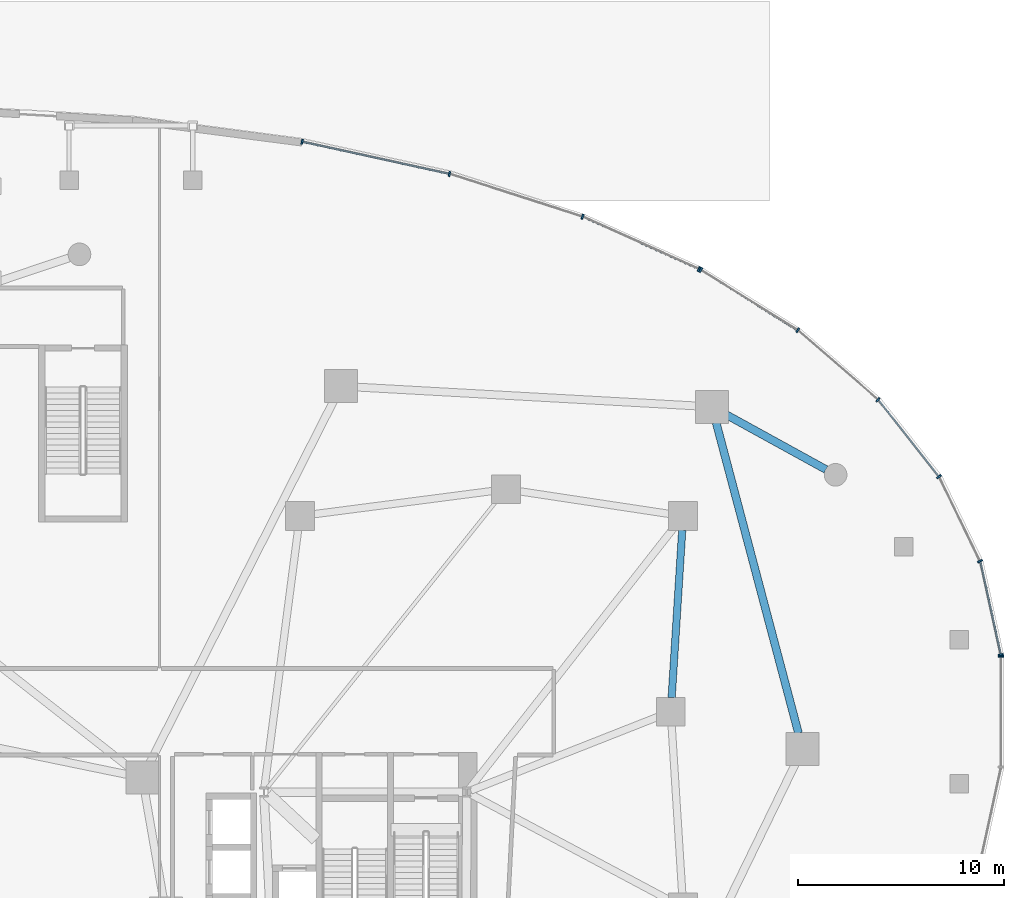
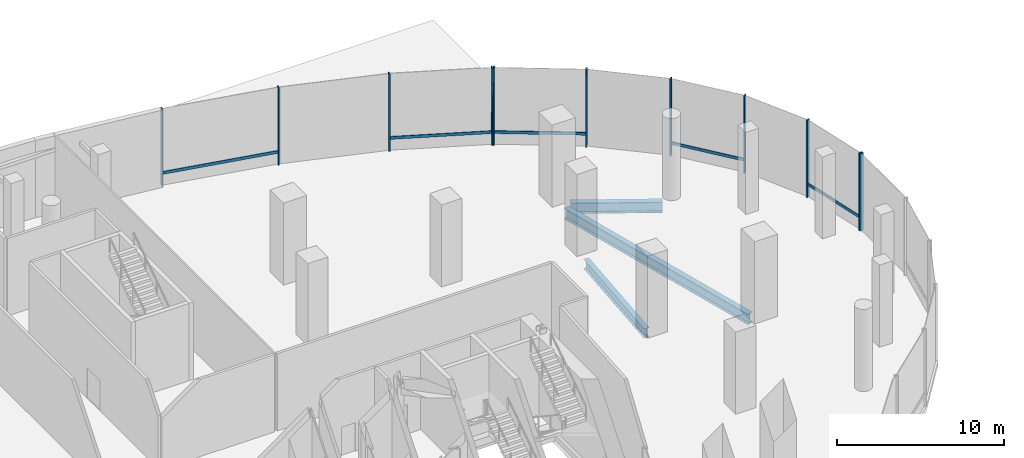
# One storey, part 10 of 20: 16 members, 3 beams, 3 elements without a shape of their own.
"""IFC4 building model written with IfcOpenShell, lengths in metres."""

from ifc_helpers import new_model, si_unit, direction, frame, origin, origin_2d, place, context, subcontext, project, spatial, rectangle, i_section, extrude, material, material_profile, profile_set, type_object, element, aggregate, save


model = new_model("IFC4")

# Units and contexts
model_context = context("Model", 3, precision=1e-05, world=origin(), true_north=direction((0.0, 1.0)))
body_context = subcontext(model_context, "Body", "Model", "MODEL_VIEW")
ifc_project = project(units=[si_unit("LENGTHUNIT", "METRE"), si_unit("AREAUNIT", "SQUARE_METRE"), si_unit("VOLUMEUNIT", "CUBIC_METRE"), si_unit("PLANEANGLEUNIT", "RADIAN"), si_unit("MASSUNIT", "GRAM", prefix="KILO"), si_unit("THERMODYNAMICTEMPERATUREUNIT", "KELVIN"), si_unit("POWERUNIT", "WATT")], contexts=[model_context])

# Site, building, storey
site_placement = place(None, origin())
site = spatial("IfcSite", under=ifc_project, at=site_placement, CompositionType="ELEMENT")
building_placement = place(site_placement, origin())
building = spatial("IfcBuilding", under=site, at=building_placement, Name="Cundina Bronze Exchange", CompositionType="ELEMENT")
storey_placement = place(building_placement, origin())
storey = spatial("IfcBuildingStorey", under=building, at=storey_placement, Name="L00", CompositionType="ELEMENT", Elevation=0.0)

# Beams
ifc_material_1 = material(Name="Steel ASTM A992 Grade 50", Category="steel")
ifc_material_profile_1 = material_profile(ifc_material_1, i_section(OverallWidth=0.35498046875, OverallDepth=0.695068359375, WebThickness=0.015380859375, FlangeThickness=0.02490234375, FilletRadius=0.01806640625, at=origin_2d()), Name="W27X146", Category="steel")
ifc_profile_set_1 = profile_set([ifc_material_profile_1], Name="Steel ASTM A992 Grade 50")
beam_type_1 = type_object("IfcBeamType", Name="BM-RING-W27", PredefinedType="USERDEFINED", material=ifc_profile_set_1)
beam_1_placement = place(storey_placement, frame((41.243408203125, 0.6865234375, -0.697509765625), z_axis=(0.063020359641, 0.998012241544, 0.0), x_axis=(-0.998012241544, 0.063020359641, 0.0)))
element("IfcBeam", 1, at=beam_1_placement, inside=storey, type_object=beam_type_1, Name="L00 E Inner Structural Ring Girder 04", ObjectType="GIRDER", PredefinedType="USERDEFINED", context=body_context, shape_type="SweptSolid", body=[
    extrude(i_section(OverallWidth=0.35498046875, OverallDepth=0.695068359375, WebThickness=0.015380859375, FlangeThickness=0.02490234375, FilletRadius=0.01806640625, at=origin_2d()), origin(), (0.0, 0.0, 1.0), 8.14306640625),
])
ifc_material_profile_2 = material_profile(ifc_material_1, i_section(OverallWidth=0.381103515625, OverallDepth=0.77294921875, WebThickness=0.0166015625, FlangeThickness=0.027099609375, FilletRadius=0.01904296875, at=origin_2d()), Name="W30X173", Category="steel")
ifc_profile_set_2 = profile_set([ifc_material_profile_2], Name="Steel ASTM A992 Grade 50")
beam_type_2 = type_object("IfcBeamType", Name="BM-RING-W30", PredefinedType="USERDEFINED", material=ifc_profile_set_2)
beam_2_placement = place(storey_placement, frame((48.728515625, 11.75927734375, -0.736572265625), z_axis=(-0.876222443353, 0.481906868351, 0.0), x_axis=(-0.481906868351, -0.876222443353, 0.0)))
element("IfcBeam", 2, at=beam_2_placement, inside=storey, type_object=beam_type_2, Name="L00 Podium Colonnade Tie Beam 07", ObjectType="GIRDER", PredefinedType="USERDEFINED", context=body_context, shape_type="SweptSolid", body=[
    extrude(i_section(OverallWidth=0.381103515625, OverallDepth=0.77294921875, WebThickness=0.0166015625, FlangeThickness=0.027099609375, FilletRadius=0.01904296875, at=origin_2d()), origin(), (0.0, 0.0, 1.0), 5.521484375),
])
beam_3_placement = place(storey_placement, frame((47.398193359375, -1.038330078125, -0.736572265625), z_axis=(-0.256219519418, 0.966618620692, 0.0), x_axis=(-0.966618620692, -0.256219519418, 0.0)))
element("IfcBeam", 3, at=beam_3_placement, inside=storey, type_object=beam_type_2, Name="L00 E Podium Ring Girder 08", ObjectType="GIRDER", PredefinedType="USERDEFINED", context=body_context, shape_type="SweptSolid", body=[
    extrude(i_section(OverallWidth=0.381103515625, OverallDepth=0.77294921875, WebThickness=0.0166015625, FlangeThickness=0.027099609375, FilletRadius=0.01904296875, at=origin_2d()), origin(), (0.0, 0.0, 1.0), 15.597412109375),
])

# Curtain wall, members
ifc_material_2 = material(Name="Anodised Bronze Aluminium 6063-T6", Category="aluminium")
curtain_wall_type = type_object("IfcCurtainWallType", Name="CWS-POD-CONC", PredefinedType="NOTDEFINED", material=ifc_material_2)
curtain_wall_1_placement = place(storey_placement, origin())
curtain_wall_1 = element("IfcCurtainWall", 4, at=curtain_wall_1_placement, inside=storey, type_object=curtain_wall_type, Name="L00 CW-01 Curtain Wall Run CWR-L00-01", PredefinedType="NOTDEFINED")
ifc_material_profile_3 = material_profile(ifc_material_2, rectangle(XDim=0.0849609375, YDim=0.25, at=origin_2d()), Name="AL85X250", Category="aluminium")
ifc_profile_set_3 = profile_set([ifc_material_profile_3], Name="Anodised Bronze Aluminium 6063-T6")
member_type_1 = type_object("IfcMemberType", Name="CWM-MUL-250", PredefinedType="MULLION", material=ifc_profile_set_3)
member_1_placement = place(storey_placement, frame((57.219482421875, 2.76708984375, 0.0), z_axis=(0.0, 0.0, 1.0), x_axis=(-0.214564862428, 0.976709741843, 0.0)))
member_1 = element("IfcMember", 5, at=member_1_placement, type_object=member_type_1, Name="CW-01 Mullion 1", PredefinedType="MULLION", context=body_context, shape_type="SweptSolid", body=[
    extrude(rectangle(XDim=0.0849609375, YDim=0.25, at=origin_2d()), origin(), (0.0, 0.0, 1.0), 5.64990234375),
])
member_2_placement = place(storey_placement, frame((56.211669921875, 7.311279296875, 0.0), z_axis=(0.0, 0.0, 1.0), x_axis=(-0.435702445497, 0.900090761528, 0.0)))
member_2 = element("IfcMember", 6, at=member_2_placement, type_object=member_type_1, Name="CW-01 Mullion 2", PredefinedType="MULLION", context=body_context, shape_type="SweptSolid", body=[
    extrude(rectangle(XDim=0.0849609375, YDim=0.25, at=origin_2d()), origin(), (0.0, 0.0, 1.0), 5.64990234375),
])
member_3_placement = place(storey_placement, frame((54.21728515625, 11.408935546875, 0.0), z_axis=(0.0, 0.0, 1.0), x_axis=(-0.61950505541, 0.784992666412, 0.0)))
member_3 = element("IfcMember", 7, at=member_3_placement, type_object=member_type_1, Name="CW-01 Mullion 3", PredefinedType="MULLION", context=body_context, shape_type="SweptSolid", body=[
    extrude(rectangle(XDim=0.0849609375, YDim=0.25, at=origin_2d()), origin(), (0.0, 0.0, 1.0), 5.64990234375),
])
member_4_placement = place(storey_placement, frame((51.257080078125, 15.146484375, 0.0), z_axis=(0.0, 0.0, 1.0), x_axis=(-0.755510544084, 0.6551364879, 0.0)))
member_4 = element("IfcMember", 8, at=member_4_placement, type_object=member_type_1, Name="CW-01 Mullion 4", PredefinedType="MULLION", context=body_context, shape_type="SweptSolid", body=[
    extrude(rectangle(XDim=0.0849609375, YDim=0.25, at=origin_2d()), origin(), (0.0, 0.0, 1.0), 5.64990234375),
])
member_5_placement = place(storey_placement, frame((47.35986328125, 18.515380859375, 0.0), z_axis=(0.0, 0.0, 1.0), x_axis=(-0.849248260906, 0.527993741769, 0.0)))
member_5 = element("IfcMember", 9, at=member_5_placement, type_object=member_type_1, Name="CW-01 Mullion 5", PredefinedType="MULLION", context=body_context, shape_type="SweptSolid", body=[
    extrude(rectangle(XDim=0.0849609375, YDim=0.25, at=origin_2d()), origin(), (0.0, 0.0, 1.0), 5.64990234375),
])
member_6_placement = place(storey_placement, frame((42.654052734375, 21.4404296875, 0.0), z_axis=(0.0, 0.0, 1.0), x_axis=(-0.849248260906, 0.527993741769, 0.0)))
member_6 = element("IfcMember", 10, at=member_6_placement, type_object=member_type_1, Name="CW-01 End Mullion", PredefinedType="MULLION", context=body_context, shape_type="SweptSolid", body=[
    extrude(rectangle(XDim=0.0849609375, YDim=0.25, at=origin_2d()), origin(), (0.0, 0.0, 1.0), 5.64990234375),
])

curtain_wall_2_placement = place(storey_placement, origin())
curtain_wall_2 = element("IfcCurtainWall", 11, at=curtain_wall_2_placement, inside=storey, type_object=curtain_wall_type, Name="L00 CW-01 Curtain Wall Run CWR-L00-02", PredefinedType="NOTDEFINED")
member_7_placement = place(storey_placement, frame((42.566162109375, 21.4873046875, 0.0), z_axis=(0.0, 0.0, 1.0), x_axis=(-0.911618620107, 0.411037092578, 0.0)))
member_7 = element("IfcMember", 12, at=member_7_placement, type_object=member_type_1, Name="CW-01 Mullion 1", PredefinedType="MULLION", context=body_context, shape_type="SweptSolid", body=[
    extrude(rectangle(XDim=0.0849609375, YDim=0.25, at=origin_2d()), origin(), (0.0, 0.0, 1.0), 5.64990234375),
])
member_8_placement = place(storey_placement, frame((36.91796875, 24.027099609375, 0.0), z_axis=(0.0, 0.0, 1.0), x_axis=(-0.951862260753, 0.306526078098, 0.0)))
member_8 = element("IfcMember", 13, at=member_8_placement, type_object=member_type_1, Name="CW-01 Mullion 2", PredefinedType="MULLION", context=body_context, shape_type="SweptSolid", body=[
    extrude(rectangle(XDim=0.0849609375, YDim=0.25, at=origin_2d()), origin(), (0.0, 0.0, 1.0), 5.64990234375),
])
member_9_placement = place(storey_placement, frame((30.456787109375, 26.10302734375, 0.0), z_axis=(0.0, 0.0, 1.0), x_axis=(-0.976896613081, 0.213712440794, 0.0)))
member_9 = element("IfcMember", 14, at=member_9_placement, type_object=member_type_1, Name="CW-01 Mullion 3", PredefinedType="MULLION", context=body_context, shape_type="SweptSolid", body=[
    extrude(rectangle(XDim=0.0849609375, YDim=0.25, at=origin_2d()), origin(), (0.0, 0.0, 1.0), 5.64990234375),
])
member_10_placement = place(storey_placement, frame((23.30810546875, 27.66650390625, 0.0), z_axis=(0.0, 0.0, 1.0), x_axis=(-0.976896613081, 0.213712440794, 0.0)))
member_10 = element("IfcMember", 15, at=member_10_placement, type_object=member_type_1, Name="CW-01 End Mullion", PredefinedType="MULLION", context=body_context, shape_type="SweptSolid", body=[
    extrude(rectangle(XDim=0.0849609375, YDim=0.25, at=origin_2d()), origin(), (0.0, 0.0, 1.0), 5.64990234375),
])

# Curtain wall, member
curtain_wall_3_placement = place(storey_placement, origin())
curtain_wall_3 = element("IfcCurtainWall", 16, at=curtain_wall_3_placement, inside=storey, type_object=curtain_wall_type, Name="L00 CW-01 Curtain Wall Run CWR-L00-07", PredefinedType="NOTDEFINED")
member_11_placement = place(storey_placement, frame((57.22900390625, 2.680419921875, 0.0), z_axis=(0.0, 0.0, 1.0), x_axis=(0.0, 1.0, 0.0)))
member_11 = element("IfcMember", 17, at=member_11_placement, type_object=member_type_1, Name="CW-01 End Mullion", PredefinedType="MULLION", context=body_context, shape_type="SweptSolid", body=[
    extrude(rectangle(XDim=0.0849609375, YDim=0.25, at=origin_2d()), origin(), (0.0, 0.0, 1.0), 5.64990234375),
])
aggregate(curtain_wall_3, [member_11])

# Member
ifc_material_profile_4 = material_profile(ifc_material_2, rectangle(XDim=0.080078125, YDim=0.2099609375, at=origin_2d()), Name="AL80X210", Category="aluminium")
ifc_profile_set_4 = profile_set([ifc_material_profile_4], Name="Anodised Bronze Aluminium 6063-T6")
member_type_2 = type_object("IfcMemberType", Name="CWM-TRN-210", PredefinedType="USERDEFINED", material=ifc_profile_set_4)
member_12_placement = place(storey_placement, frame((57.209716796875, 2.812744140625, 0.919921875), z_axis=(-0.214548972216, 0.97671323249, 0.0), x_axis=(-0.97671323249, -0.214548972216, 0.0)))
member_12 = element("IfcMember", 18, at=member_12_placement, type_object=member_type_2, Name="CW-01 Spandrel Transom 1", ObjectType="TRANSOM", PredefinedType="USERDEFINED", context=body_context, shape_type="SweptSolid", body=[
    extrude(rectangle(XDim=0.080078125, YDim=0.2099609375, at=origin_2d()), origin(), (0.0, 0.0, 1.0), 4.571044921875),
])

member_13_placement = place(storey_placement, frame((54.1884765625, 11.445556640625, 0.919921875), z_axis=(-0.619486880186, 0.7850070097, 0.0), x_axis=(-0.7850070097, -0.619486880186, 0.0)))
member_13 = element("IfcMember", 19, at=member_13_placement, type_object=member_type_2, Name="CW-01 Spandrel Transom 3", ObjectType="TRANSOM", PredefinedType="USERDEFINED", context=body_context, shape_type="SweptSolid", body=[
    extrude(rectangle(XDim=0.080078125, YDim=0.2099609375, at=origin_2d()), origin(), (0.0, 0.0, 1.0), 4.67724609375),
])

member_14_placement = place(storey_placement, frame((47.3203125, 18.539794921875, 0.919921875), z_axis=(-0.849292385138, 0.527922763808, 0.0), x_axis=(-0.527922763808, -0.849292385138, 0.0)))
member_14 = element("IfcMember", 20, at=member_14_placement, type_object=member_type_2, Name="CW-01 Spandrel Transom 5", ObjectType="TRANSOM", PredefinedType="USERDEFINED", context=body_context, shape_type="SweptSolid", body=[
    extrude(rectangle(XDim=0.080078125, YDim=0.2099609375, at=origin_2d()), origin(), (0.0, 0.0, 1.0), 5.44775390625),
])

aggregate(curtain_wall_1, [member_1, member_12, member_2, member_3, member_13, member_4, member_5, member_6, member_14])

member_15_placement = place(storey_placement, frame((42.5234375, 21.506591796875, 0.919921875), z_axis=(-0.911656553379, 0.410952951908, 0.0), x_axis=(-0.410952951908, -0.911656553379, 0.0)))
member_15 = element("IfcMember", 21, at=member_15_placement, type_object=member_type_2, Name="CW-01 Spandrel Transom 1", ObjectType="TRANSOM", PredefinedType="USERDEFINED", context=body_context, shape_type="SweptSolid", body=[
    extrude(rectangle(XDim=0.080078125, YDim=0.2099609375, at=origin_2d()), origin(), (0.0, 0.0, 1.0), 6.090576171875),
])

member_16_placement = place(storey_placement, frame((30.4111328125, 26.113037109375, 0.919921875), z_axis=(-0.976909937501, 0.213651524713, 0.0), x_axis=(-0.213651524713, -0.976909937501, 0.0)))
member_16 = element("IfcMember", 22, at=member_16_placement, type_object=member_type_2, Name="CW-01 Spandrel Transom 3", ObjectType="TRANSOM", PredefinedType="USERDEFINED", context=body_context, shape_type="SweptSolid", body=[
    extrude(rectangle(XDim=0.080078125, YDim=0.2099609375, at=origin_2d()), origin(), (0.0, 0.0, 1.0), 7.22412109375),
])

aggregate(curtain_wall_2, [member_7, member_15, member_8, member_9, member_10, member_16])

save(model, "model.ifc")
